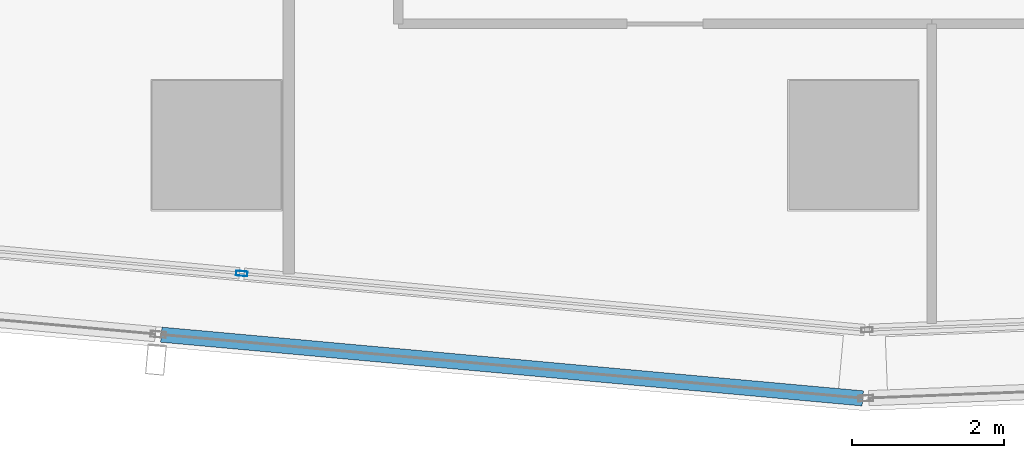
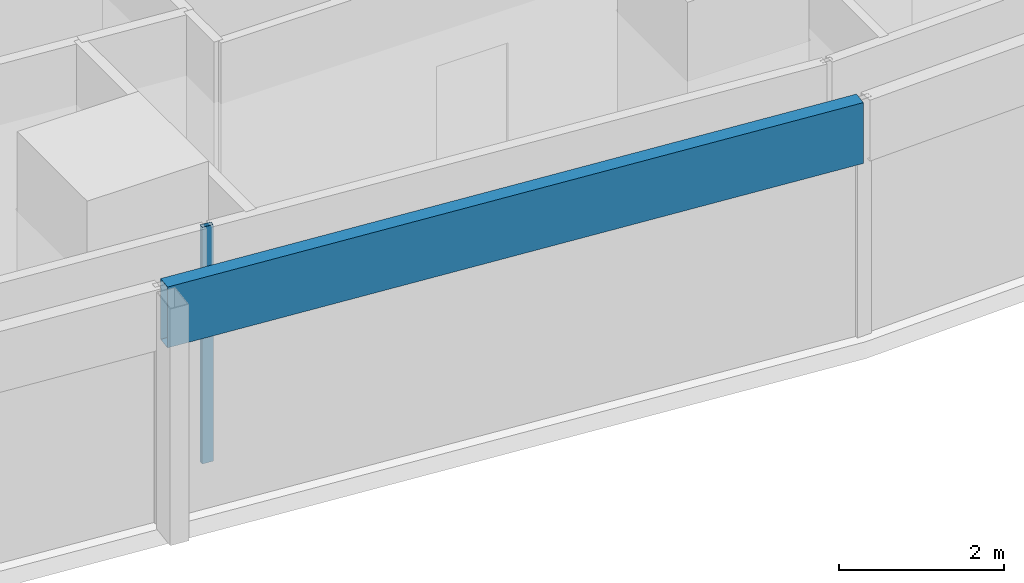
# One storey, part 3 of 40: 2 members, 2 elements without a shape of their own.
"""IFC4 building model written with IfcOpenShell, lengths in metres."""

from ifc_helpers import new_model, si_unit, direction, frame, origin, origin_2d, place, context, subcontext, project, spatial, hollow_rectangle, extrude, material, material_profile, profile_set, type_object, element, aggregate, save


model = new_model("IFC4")

# Units and contexts
model_context = context("Model", 3, precision=1e-05, world=origin(), true_north=direction((0.0, 1.0)))
body_context = subcontext(model_context, "Body", "Model", "MODEL_VIEW")
ifc_project = project(units=[si_unit("LENGTHUNIT", "METRE"), si_unit("AREAUNIT", "SQUARE_METRE"), si_unit("VOLUMEUNIT", "CUBIC_METRE"), si_unit("PLANEANGLEUNIT", "RADIAN"), si_unit("MASSUNIT", "GRAM", prefix="KILO")], contexts=[model_context])

# Site, building, storey
site_placement = place(None, origin())
site = spatial("IfcSite", under=ifc_project, at=site_placement, CompositionType="ELEMENT")
building_placement = place(site_placement, origin())
building = spatial("IfcBuilding", under=site, at=building_placement, Name="Rekha Terrace Tower", CompositionType="ELEMENT")
storey_placement = place(building_placement, frame((0.0, 0.0, 125.300048828125)))
storey = spatial("IfcBuildingStorey", under=building, at=storey_placement, Name="L31", CompositionType="ELEMENT", Elevation=125.300048828125)

# Curtain wall, member
ifc_material_1 = material(Name="Aluminium framing", Category="aluminium")
curtain_wall_type_1 = type_object("IfcCurtainWallType", Name="CW1 double skin inner glazing", PredefinedType="USERDEFINED", material=ifc_material_1)
curtain_wall_1_placement = place(storey_placement, origin())
curtain_wall_1 = element("IfcCurtainWall", 1, at=curtain_wall_1_placement, inside=storey, type_object=curtain_wall_type_1, Name="CW1 double skin inner glazing", ObjectType="DOUBLE SKIN INNER GLAZING", PredefinedType="USERDEFINED")
ifc_material_2 = material(Name="Aluminium mullion section", Category="aluminium")
ifc_material_profile_1 = material_profile(ifc_material_2, hollow_rectangle(XDim=0.06494140625, YDim=0.14990234375, WallThickness=0.00390625, at=origin_2d()), Name="AL RHS 65x150")
ifc_profile_set_1 = profile_set([ifc_material_profile_1], Name="Aluminium mullion section")
member_type_1 = type_object("IfcMemberType", Name="CW1 mullion RHS 65 x 150", PredefinedType="MULLION", material=ifc_profile_set_1)
member_1_placement = place(storey_placement, frame((17.13427734375, 15.107666015625, 0.0), z_axis=(0.0, 0.0, 1.0), x_axis=(0.090439811381, 0.995901923142, 0.0)))
member_1 = element("IfcMember", 2, at=member_1_placement, type_object=member_type_1, Name="CW1 mullion 2", PredefinedType="MULLION", context=body_context, shape_type="SweptSolid", body=[
    extrude(hollow_rectangle(XDim=0.06494140625, YDim=0.14990234375, WallThickness=0.00390625, at=origin_2d()), origin(), (0.0, 0.0, 1.0), 3.5),
])
aggregate(curtain_wall_1, [member_1])

curtain_wall_type_2 = type_object("IfcCurtainWallType", Name="CW2 double skin outer glazing", PredefinedType="USERDEFINED", material=ifc_material_1)
curtain_wall_2_placement = place(storey_placement, origin())
curtain_wall_2 = element("IfcCurtainWall", 3, at=curtain_wall_2_placement, inside=storey, type_object=curtain_wall_type_2, Name="CW2 double skin outer glazing", ObjectType="DOUBLE SKIN OUTER GLAZING", PredefinedType="USERDEFINED")
ifc_material_3 = material(Name="Insulated aluminium spandrel box", Category="aluminium")
ifc_material_profile_2 = material_profile(ifc_material_3, hollow_rectangle(XDim=0.199951171875, YDim=0.89990234375, WallThickness=0.0029296875, at=origin_2d()), Name="AL SPANDREL BOX 200x900")
ifc_profile_set_2 = profile_set([ifc_material_profile_2], Name="Insulated aluminium spandrel box")
member_type_2 = type_object("IfcMemberType", Name="CW2 spandrel transom 200 x 900", PredefinedType="USERDEFINED", material=ifc_profile_set_2)
member_2_placement = place(storey_placement, frame((16.072265625, 14.300537109375, 3.050048828125), z_axis=(0.995900527097, -0.090455182982, 0.0), x_axis=(0.090455182982, 0.995900527097, 0.0)))
member_2 = element("IfcMember", 4, at=member_2_placement, type_object=member_type_2, Name="CW2 spandrel transom 2", ObjectType="TRANSOM", PredefinedType="USERDEFINED", context=body_context, shape_type="SweptSolid", body=[
    extrude(hollow_rectangle(XDim=0.199951171875, YDim=0.89990234375, WallThickness=0.0029296875, at=origin_2d()), origin(), (0.0, 0.0, 1.0), 9.2900390625),
])
aggregate(curtain_wall_2, [member_2])

save(model, "model.ifc")
